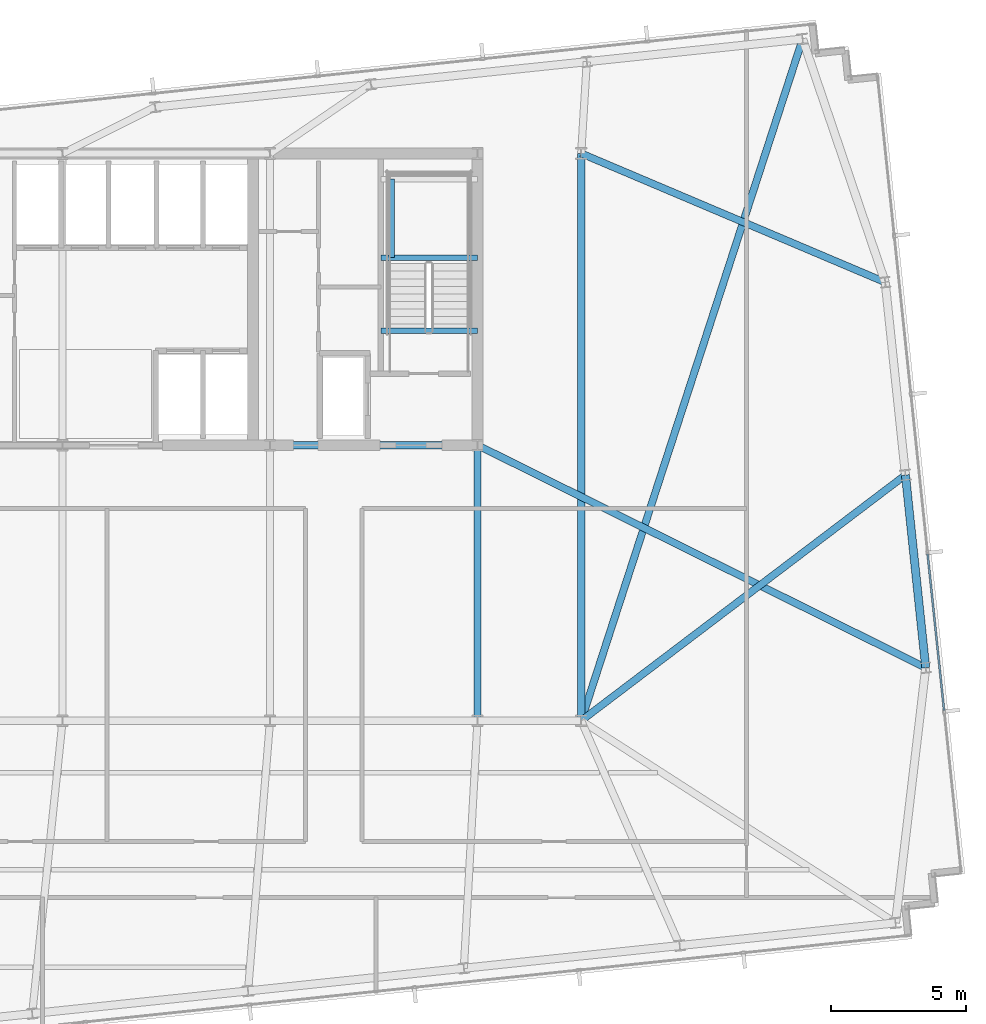
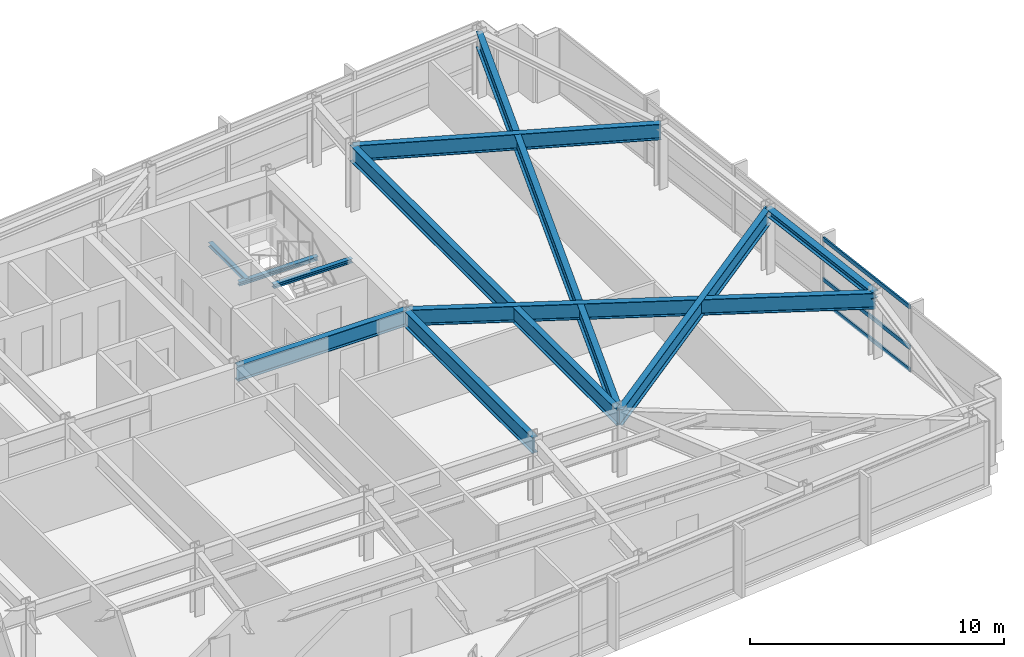
# One storey, part 13 of 26: 11 beams, 3 members, 1 element without a shape of its own.
"""IFC4 building model written with IfcOpenShell, lengths in metres."""

from ifc_helpers import new_model, si_unit, direction, frame, origin, origin_2d, place, context, subcontext, project, spatial, hollow_rectangle, i_section, extrude, material, material_profile, profile_set, type_object, element, aggregate, save


model = new_model("IFC4")

# Units and contexts
model_context = context("Model", 3, precision=1e-05, world=origin(), true_north=direction((0.0, 1.0)))
body_context = subcontext(model_context, "Body", "Model", "MODEL_VIEW")
ifc_project = project(units=[si_unit("LENGTHUNIT", "METRE"), si_unit("AREAUNIT", "SQUARE_METRE"), si_unit("VOLUMEUNIT", "CUBIC_METRE"), si_unit("PLANEANGLEUNIT", "RADIAN"), si_unit("MASSUNIT", "GRAM", prefix="KILO")], contexts=[model_context])

# Site, building, storey
site_placement = place(None, origin())
site = spatial("IfcSite", under=ifc_project, at=site_placement, CompositionType="ELEMENT")
building_placement = place(site_placement, origin())
building = spatial("IfcBuilding", under=site, at=building_placement, Name="Yelkora Congress Tower", CompositionType="ELEMENT")
storey_placement = place(building_placement, frame((0.0, 0.0, 204.5)))
storey = spatial("IfcBuildingStorey", under=building, at=storey_placement, Name="L56", CompositionType="ELEMENT", Elevation=204.5)

# Beams
ifc_material_1 = material(Name="Steel S355J2", Category="steel")
ifc_material_profile_1 = material_profile(ifc_material_1, i_section(OverallWidth=0.26708984375, OverallDepth=0.761962890625, WebThickness=0.014404296875, FlangeThickness=0.021484375, FilletRadius=0.01708984375, at=origin_2d()), Name="IPE 750x173")
ifc_profile_set_1 = profile_set([ifc_material_profile_1], Name="Steel S355J2")
beam_type_1 = type_object("IfcBeamType", Name="BM-GIRD-IPE750", PredefinedType="BEAM", material=ifc_profile_set_1)
beam_1_placement = place(storey_placement, frame((46.080078125, 35.39990234375, 2.698974609375), z_axis=(1.0, 0.0, 0.0), x_axis=(0.0, 1.0, 0.0)))
element("IfcBeam", 1, at=beam_1_placement, inside=storey, type_object=beam_type_1, Name="L56 Core South Girder 4", PredefinedType="BEAM", context=body_context, shape_type="SweptSolid", body=[
    extrude(i_section(OverallWidth=0.26708984375, OverallDepth=0.761962890625, WebThickness=0.014404296875, FlangeThickness=0.021484375, FilletRadius=0.01708984375, at=origin_2d()), origin(), (0.0, 0.0, 1.0), 7.679931640625),
])
beam_2_placement = place(storey_placement, frame((53.760009765625, 25.199951171875, 2.698974609375), z_axis=(0.0, 1.0, 0.0), x_axis=(-1.0, 0.0, 0.0)))
element("IfcBeam", 2, at=beam_2_placement, inside=storey, type_object=beam_type_1, Name="L56 Core Tie Girder MC-D5", PredefinedType="BEAM", context=body_context, shape_type="SweptSolid", body=[
    extrude(i_section(OverallWidth=0.26708984375, OverallDepth=0.761962890625, WebThickness=0.014404296875, FlangeThickness=0.021484375, FilletRadius=0.01708984375, at=origin_2d()), origin(), (0.0, 0.0, 1.0), 10.199951171875),
])
beam_3_placement = place(storey_placement, frame((57.60009765625, 25.199951171875, 2.698974609375), z_axis=(0.0, 1.0, 0.0), x_axis=(-1.0, 0.0, 0.0)))
element("IfcBeam", 3, at=beam_3_placement, inside=storey, type_object=beam_type_1, Name="L56 Neck Flank Girder MC-F2", PredefinedType="BEAM", context=body_context, shape_type="SweptSolid", body=[
    extrude(i_section(OverallWidth=0.26708984375, OverallDepth=0.761962890625, WebThickness=0.014404296875, FlangeThickness=0.021484375, FilletRadius=0.01708984375, at=origin_2d()), origin(), (0.0, 0.0, 1.0), 21.0),
])
beam_4_placement = place(storey_placement, frame((65.7958984375, 50.4365234375, 2.698974609375), z_axis=(-0.308878638672, -0.951101459663, 0.0), x_axis=(0.951101459663, -0.308878638672, 0.0)))
element("IfcBeam", 4, at=beam_4_placement, inside=storey, type_object=beam_type_1, Name="L56 Primary Frame Girder N07", PredefinedType="BEAM", context=body_context, shape_type="SweptSolid", body=[
    extrude(i_section(OverallWidth=0.26708984375, OverallDepth=0.761962890625, WebThickness=0.014404296875, FlangeThickness=0.021484375, FilletRadius=0.01708984375, at=origin_2d()), origin(), (0.0, 0.0, 1.0), 26.533935546875),
])
beam_5_placement = place(storey_placement, frame((70.35400390625, 27.160400390625, 2.698974609375), z_axis=(-0.895665070913, 0.444729221826, 0.0), x_axis=(-0.444729221826, -0.895665070913, 0.0)))
element("IfcBeam", 5, at=beam_5_placement, inside=storey, type_object=beam_type_1, Name="L56 Primary Frame Girder E01", PredefinedType="BEAM", context=body_context, shape_type="SweptSolid", body=[
    extrude(i_section(OverallWidth=0.26708984375, OverallDepth=0.761962890625, WebThickness=0.014404296875, FlangeThickness=0.021484375, FilletRadius=0.01708984375, at=origin_2d()), origin(), (0.0, 0.0, 1.0), 18.527099609375),
])
beam_6_placement = place(storey_placement, frame((69.60400390625, 34.296142578125, 2.698974609375), z_axis=(-0.797017901034, -0.603955681678, 0.0), x_axis=(0.603955681678, -0.797017901034, 0.0)))
element("IfcBeam", 6, at=beam_6_placement, inside=storey, type_object=beam_type_1, Name="L56 Primary Frame Girder E02", PredefinedType="BEAM", context=body_context, shape_type="SweptSolid", body=[
    extrude(i_section(OverallWidth=0.26708984375, OverallDepth=0.761962890625, WebThickness=0.014404296875, FlangeThickness=0.021484375, FilletRadius=0.01708984375, at=origin_2d()), origin(), (0.0, 0.0, 1.0), 15.06103515625),
])
beam_7_placement = place(storey_placement, frame((68.85400390625, 41.431884765625, 2.698974609375), z_axis=(-0.920767530621, 0.390111720606, 0.0), x_axis=(-0.390111720606, -0.920767530621, 0.0)))
element("IfcBeam", 7, at=beam_7_placement, inside=storey, type_object=beam_type_1, Name="L56 Primary Frame Girder E03", PredefinedType="BEAM", context=body_context, shape_type="SweptSolid", body=[
    extrude(i_section(OverallWidth=0.26708984375, OverallDepth=0.761962890625, WebThickness=0.014404296875, FlangeThickness=0.021484375, FilletRadius=0.01708984375, at=origin_2d()), origin(), (0.0, 0.0, 1.0), 12.222412109375),
])
ifc_material_profile_2 = material_profile(ifc_material_1, i_section(OverallWidth=0.199951171875, OverallDepth=0.18994140625, WebThickness=0.006591796875, FlangeThickness=0.010009765625, FilletRadius=0.01806640625, at=origin_2d()), Name="HEA 200")
ifc_profile_set_2 = profile_set([ifc_material_profile_2], Name="Steel S355J2")
beam_type_2 = type_object("IfcBeamType", Name="BM-LAND-HEA200", PredefinedType="BEAM", material=ifc_profile_set_2)
beam_8_placement = place(storey_placement, frame((50.179931640625, 42.340087890625, 1.334716796875), z_axis=(1.0, 0.0, 0.0), x_axis=(0.0, 1.0, 0.0)))
element("IfcBeam", 8, at=beam_8_placement, inside=storey, type_object=beam_type_2, Name="ST-02 L56 Landing Header Beam 1S", PredefinedType="BEAM", context=body_context, shape_type="SweptSolid", body=[
    extrude(i_section(OverallWidth=0.199951171875, OverallDepth=0.18994140625, WebThickness=0.006591796875, FlangeThickness=0.010009765625, FilletRadius=0.01806640625, at=origin_2d()), origin(), (0.0, 0.0, 1.0), 3.580078125),
])
beam_9_placement = place(storey_placement, frame((50.580078125, 42.340087890625, 1.334716796875), z_axis=(0.0, 1.0, 0.0), x_axis=(-1.0, 0.0, 0.0)))
element("IfcBeam", 9, at=beam_9_placement, inside=storey, type_object=beam_type_2, Name="ST-02 L56 Landing Trimmer Beam 1M", PredefinedType="BEAM", context=body_context, shape_type="SweptSolid", body=[
    extrude(i_section(OverallWidth=0.199951171875, OverallDepth=0.18994140625, WebThickness=0.006591796875, FlangeThickness=0.010009765625, FilletRadius=0.01806640625, at=origin_2d()), origin(), (0.0, 0.0, 1.0), 2.909912109375),
])
beam_10_placement = place(storey_placement, frame((50.179931640625, 39.639892578125, 2.85400390625), z_axis=(1.0, 0.0, 0.0), x_axis=(0.0, 1.0, 0.0)))
element("IfcBeam", 10, at=beam_10_placement, inside=storey, type_object=beam_type_2, Name="ST-02 L56 Floor Arrival Stringer Header Beam", PredefinedType="BEAM", context=body_context, shape_type="SweptSolid", body=[
    extrude(i_section(OverallWidth=0.199951171875, OverallDepth=0.18994140625, WebThickness=0.006591796875, FlangeThickness=0.010009765625, FilletRadius=0.01806640625, at=origin_2d()), origin(), (0.0, 0.0, 1.0), 3.580078125),
])
ifc_material_profile_3 = material_profile(ifc_material_1, i_section(OverallWidth=0.300048828125, OverallDepth=0.340087890625, WebThickness=0.011962890625, FlangeThickness=0.021484375, FilletRadius=0.027099609375, at=origin_2d()), Name="HEB 340")
ifc_profile_set_3 = profile_set([ifc_material_profile_3], Name="Steel S355J2")
beam_type_3 = type_object("IfcBeamType", Name="BM-SPAN-HEB340", PredefinedType="SPANDREL", material=ifc_profile_set_3)
beam_11_placement = place(storey_placement, frame((70.35400390625, 27.160400390625, 2.909912109375), z_axis=(-0.104528914631, 0.994521847928, 0.0), x_axis=(-0.994521847928, -0.104528914631, 0.0)))
element("IfcBeam", 11, at=beam_11_placement, inside=storey, type_object=beam_type_3, Name="L56 Perimeter Beam 10", PredefinedType="SPANDREL", context=body_context, shape_type="SweptSolid", body=[
    extrude(i_section(OverallWidth=0.300048828125, OverallDepth=0.340087890625, WebThickness=0.011962890625, FlangeThickness=0.021484375, FilletRadius=0.027099609375, at=origin_2d()), origin(), (0.0, 0.0, 1.0), 7.175048828125),
])

# Curtain wall, members
ifc_material_2 = material(Name="Anodised aluminium and insulated glass", Category="aluminium")
curtain_wall_type = type_object("IfcCurtainWallType", Name="CW-SYS-SKY", PredefinedType="NOTDEFINED", material=ifc_material_2)
curtain_wall_placement = place(storey_placement, origin())
curtain_wall = element("IfcCurtainWall", 12, at=curtain_wall_placement, inside=storey, type_object=curtain_wall_type, Name="L56 Unitised Curtain Wall 15", PredefinedType="NOTDEFINED")
ifc_material_3 = material(Name="Anodised aluminium 6063-T6", Category="aluminium")
ifc_material_profile_4 = material_profile(ifc_material_3, hollow_rectangle(XDim=0.070068359375, YDim=0.18994140625, WallThickness=0.00390625, at=origin_2d()), Name="ALU 70x190x4")
ifc_profile_set_4 = profile_set([ifc_material_profile_4], Name="Anodised aluminium 6063-T6")
member_type = type_object("IfcMemberType", Name="MEM-TR-SKY", PredefinedType="USERDEFINED", material=ifc_profile_set_4)
member_1_placement = place(storey_placement, frame((70.423583984375, 31.376220703125, 0.034912109375), z_axis=(0.104545242946, -0.99452013161, 0.0), x_axis=(0.99452013161, 0.104545242946, 0.0)))
member_1 = element("IfcMember", 13, at=member_1_placement, type_object=member_type, Name="CW-SKY transom 4.1", ObjectType="TRANSOM", PredefinedType="USERDEFINED", context=body_context, shape_type="SweptSolid", body=[
    extrude(hollow_rectangle(XDim=0.070068359375, YDim=0.18994140625, WallThickness=0.00390625, at=origin_2d()), origin(), (0.0, 0.0, 1.0), 5.828857421875),
])
member_2_placement = place(storey_placement, frame((70.423583984375, 31.376220703125, 1.10009765625), z_axis=(0.104545242946, -0.99452013161, 0.0), x_axis=(0.99452013161, 0.104545242946, 0.0)))
member_2 = element("IfcMember", 14, at=member_2_placement, type_object=member_type, Name="CW-SKY transom 4.2", ObjectType="TRANSOM", PredefinedType="USERDEFINED", context=body_context, shape_type="SweptSolid", body=[
    extrude(hollow_rectangle(XDim=0.070068359375, YDim=0.18994140625, WallThickness=0.00390625, at=origin_2d()), origin(), (0.0, 0.0, 1.0), 5.828857421875),
])
member_3_placement = place(storey_placement, frame((70.423583984375, 31.376220703125, 3.044921875), z_axis=(0.104545242946, -0.99452013161, 0.0), x_axis=(0.99452013161, 0.104545242946, 0.0)))
member_3 = element("IfcMember", 15, at=member_3_placement, type_object=member_type, Name="CW-SKY transom 4.3", ObjectType="TRANSOM", PredefinedType="USERDEFINED", context=body_context, shape_type="SweptSolid", body=[
    extrude(hollow_rectangle(XDim=0.070068359375, YDim=0.18994140625, WallThickness=0.00390625, at=origin_2d()), origin(), (0.0, 0.0, 1.0), 5.828857421875),
])
aggregate(curtain_wall, [member_1, member_2, member_3])

save(model, "model.ifc")
